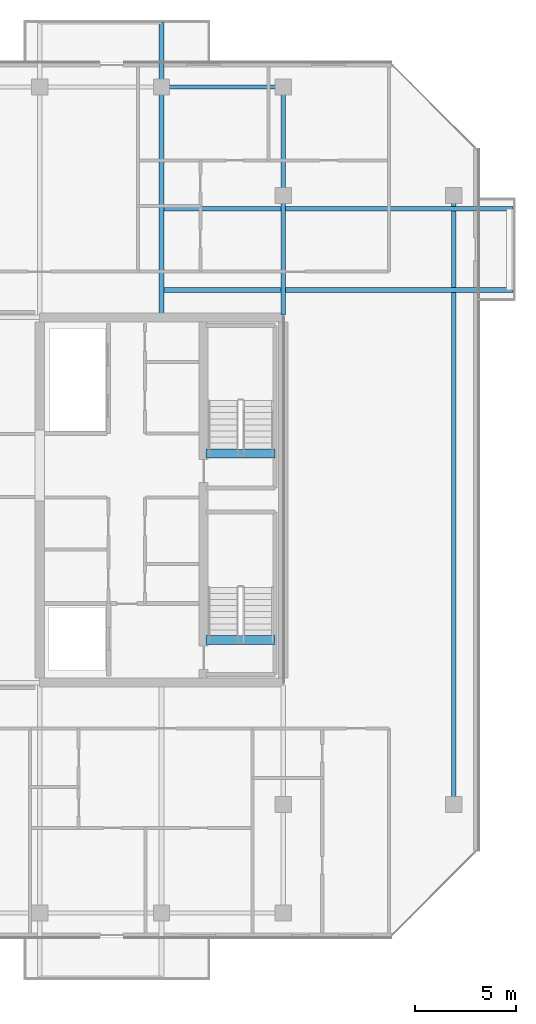
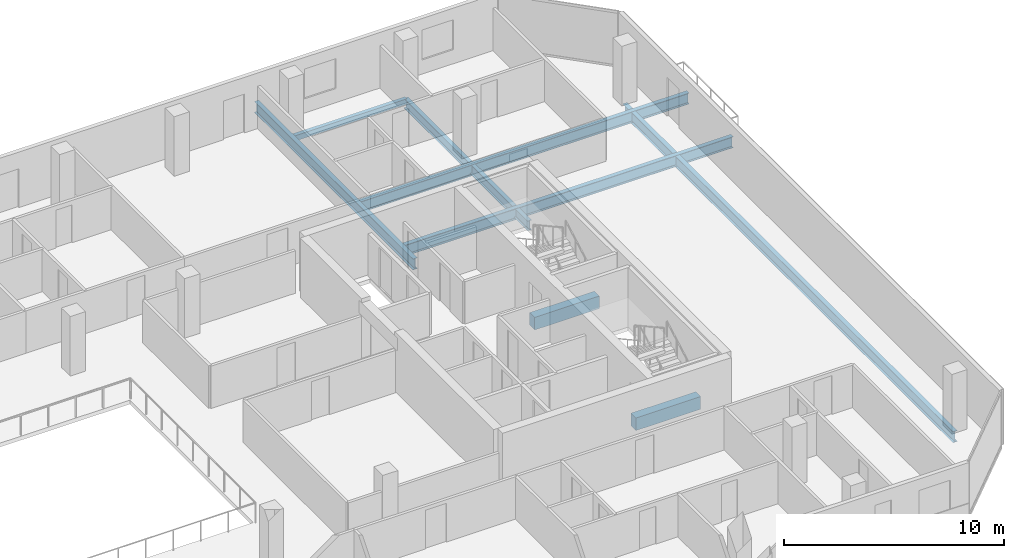
# One storey, part 15 of 28: 8 beams.
"""IFC4 building model written with IfcOpenShell, lengths in metres."""

from ifc_helpers import new_model, si_unit, direction, frame, origin, origin_2d, place, context, subcontext, project, spatial, rectangle, hollow_rectangle, i_section, extrude, material, material_profile, profile_set, type_object, element, save


model = new_model("IFC4")

# Units and contexts
model_context = context("Model", 3, precision=1e-05, world=origin(), true_north=direction((0.0, 1.0)))
body_context = subcontext(model_context, "Body", "Model", "MODEL_VIEW")
ifc_project = project(units=[si_unit("LENGTHUNIT", "METRE"), si_unit("AREAUNIT", "SQUARE_METRE"), si_unit("VOLUMEUNIT", "CUBIC_METRE"), si_unit("PLANEANGLEUNIT", "RADIAN"), si_unit("MASSUNIT", "GRAM", prefix="KILO")], contexts=[model_context])

# Site, building, storey
site_placement = place(None, origin())
site = spatial("IfcSite", under=ifc_project, at=site_placement, CompositionType="ELEMENT")
building_placement = place(site_placement, origin())
building = spatial("IfcBuilding", under=site, at=building_placement, Name="Tanjung Sevakor Pilgrim Tower", CompositionType="ELEMENT")
storey_placement = place(building_placement, frame((0.0, 0.0, 185.1298828125)))
storey = spatial("IfcBuildingStorey", under=building, at=storey_placement, Name="L51", CompositionType="ELEMENT", Elevation=185.1298828125)

# Beams
ifc_material_1 = material(Name="Steel S355J2", Category="steel")
ifc_material_profile_1 = material_profile(ifc_material_1, i_section(OverallWidth=0.22900390625, OverallDepth=0.6123046875, WebThickness=0.011962890625, FlangeThickness=0.01953125, FilletRadius=0.0126953125, at=origin_2d()))
ifc_profile_set_1 = profile_set([ifc_material_profile_1], Name="Steel S355J2")
beam_type_1 = type_object("IfcBeamType", Name="BM-B-G4-UB_610x229x125", PredefinedType="BEAM", material=ifc_profile_set_1)
beam_1_placement = place(storey_placement, frame((98.39990234375, 18.60009765625, -0.52587890625), z_axis=(0.0, 1.0, 0.0), x_axis=(-1.0, 0.0, 0.0)))
element("IfcBeam", 1, at=beam_1_placement, inside=storey, type_object=beam_type_1, Name="L51 Short-End Edge Girder E", PredefinedType="BEAM", context=body_context, shape_type="SweptSolid", body=[
    extrude(i_section(OverallWidth=0.22900390625, OverallDepth=0.6123046875, WebThickness=0.011962890625, FlangeThickness=0.01953125, FilletRadius=0.0126953125, at=origin_2d()), origin(), (0.0, 0.0, 1.0), 30.0),
])
for number, where, z_axis, x_axis, name in (
    (2, (84.0, 43.949951171875, -0.52587890625), (1.0, 0.0, 0.0), (0.0, 1.0, 0.0), "L51 Balcony Overhanging Beam MAIN-E1-1"),
    (3, (84.0, 47.949951171875, -0.52587890625), (1.0, 0.0, 0.0), (0.0, 1.0, 0.0), "L51 Balcony Overhanging Beam MAIN-E1-2"),
):
    element("IfcBeam", number, at=place(storey_placement, frame(where, z_axis=z_axis, x_axis=x_axis)), inside=storey, type_object=beam_type_1, Name=name, PredefinedType="BEAM", context=body_context, shape_type="SweptSolid", body=[
        extrude(i_section(OverallWidth=0.22900390625, OverallDepth=0.6123046875, WebThickness=0.011962890625, FlangeThickness=0.01953125, FilletRadius=0.0126953125, at=origin_2d()), origin(), (0.0, 0.0, 1.0), 17.330078125),
    ])
beam_2_placement = place(storey_placement, frame((84.0, 42.714599609375, -0.52587890625), z_axis=(0.0, 1.0, 0.0), x_axis=(-1.0, 0.0, 0.0)))
element("IfcBeam", 4, at=beam_2_placement, inside=storey, type_object=beam_type_1, Name="L51 Balcony Cantilever Beam MAIN-N4-2", PredefinedType="BEAM", context=body_context, shape_type="SweptSolid", body=[
    extrude(i_section(OverallWidth=0.22900390625, OverallDepth=0.6123046875, WebThickness=0.011962890625, FlangeThickness=0.01953125, FilletRadius=0.0126953125, at=origin_2d()), origin(), (0.0, 0.0, 1.0), 14.415283203125),
])
ifc_material_2 = material(Name="Steel S355J2", Category="steel")
ifc_material_profile_2 = material_profile(ifc_material_2, i_section(OverallWidth=0.2119140625, OverallDepth=0.54443359375, WebThickness=0.0126953125, FlangeThickness=0.021240234375, FilletRadius=0.0126953125, at=origin_2d()))
ifc_profile_set_2 = profile_set([ifc_material_profile_2], Name="Steel S355J2")
beam_type_2 = type_object("IfcBeamType", Name="BM-B-G5-UB_533x210x122", PredefinedType="BEAM", material=ifc_profile_set_2)
beam_3_placement = place(storey_placement, frame((90.0, 42.714599609375, -0.4921875), z_axis=(0.0, 1.0, 0.0), x_axis=(-1.0, 0.0, 0.0)))
element("IfcBeam", 5, at=beam_3_placement, inside=storey, type_object=beam_type_2, Name="L51 MAIN Girder 014", PredefinedType="BEAM", context=body_context, shape_type="SweptSolid", body=[
    extrude(i_section(OverallWidth=0.2119140625, OverallDepth=0.54443359375, WebThickness=0.0126953125, FlangeThickness=0.021240234375, FilletRadius=0.0126953125, at=origin_2d()), origin(), (0.0, 0.0, 1.0), 11.2353515625),
])
ifc_material_3 = material(Name="Concrete C60/75", Category="concrete")
ifc_material_profile_3 = material_profile(ifc_material_3, rectangle(XDim=0.449951171875, YDim=0.699951171875, at=origin_2d()))
ifc_profile_set_3 = profile_set([ifc_material_profile_3], Name="Concrete C60/75")
beam_type_3 = type_object("IfcBeamType", Name="BM-B-LN3-RC-BM_450x700", PredefinedType="LINTEL", material=ifc_profile_set_3)
for number, where, z_axis, x_axis, name in (
    (6, (86.199951171875, 26.699951171875, -0.349853515625), (1.0, 0.0, 0.0), (0.0, 1.0, 0.0), "L51 TS-E1 Stair Threshold Beam"),
    (7, (86.199951171875, 35.89990234375, -0.349853515625), (1.0, 0.0, 0.0), (0.0, 1.0, 0.0), "L51 TS-E2 Stair Threshold Beam"),
):
    element("IfcBeam", number, at=place(storey_placement, frame(where, z_axis=z_axis, x_axis=x_axis)), inside=storey, type_object=beam_type_3, Name=name, PredefinedType="LINTEL", context=body_context, shape_type="SweptSolid", body=[
        extrude(rectangle(XDim=0.449951171875, YDim=0.699951171875, at=origin_2d()), origin(), (0.0, 0.0, 1.0), 3.400146484375),
    ])
ifc_material_4 = material(Name="Steel S355J2", Category="steel")
ifc_material_profile_4 = material_profile(ifc_material_4, hollow_rectangle(XDim=0.199951171875, YDim=0.300048828125, WallThickness=0.012451171875, at=origin_2d()))
ifc_profile_set_4 = profile_set([ifc_material_profile_4], Name="Steel S355J2")
beam_type_4 = type_object("IfcBeamType", Name="BM-B-SP3-RHS_300x200x12.5", PredefinedType="SPANDREL", material=ifc_profile_set_4)
beam_4_placement = place(storey_placement, frame((84.0, 53.949951171875, -0.369873046875), z_axis=(1.0, 0.0, 0.0), x_axis=(0.0, 1.0, 0.0)))
element("IfcBeam", 8, at=beam_4_placement, inside=storey, type_object=beam_type_4, Name="L51 Spandrel MAIN N-16", PredefinedType="SPANDREL", context=body_context, shape_type="SweptSolid", body=[
    extrude(hollow_rectangle(XDim=0.199951171875, YDim=0.300048828125, WallThickness=0.012451171875, at=origin_2d()), origin(), (0.0, 0.0, 1.0), 6.0),
])

save(model, "model.ifc")
